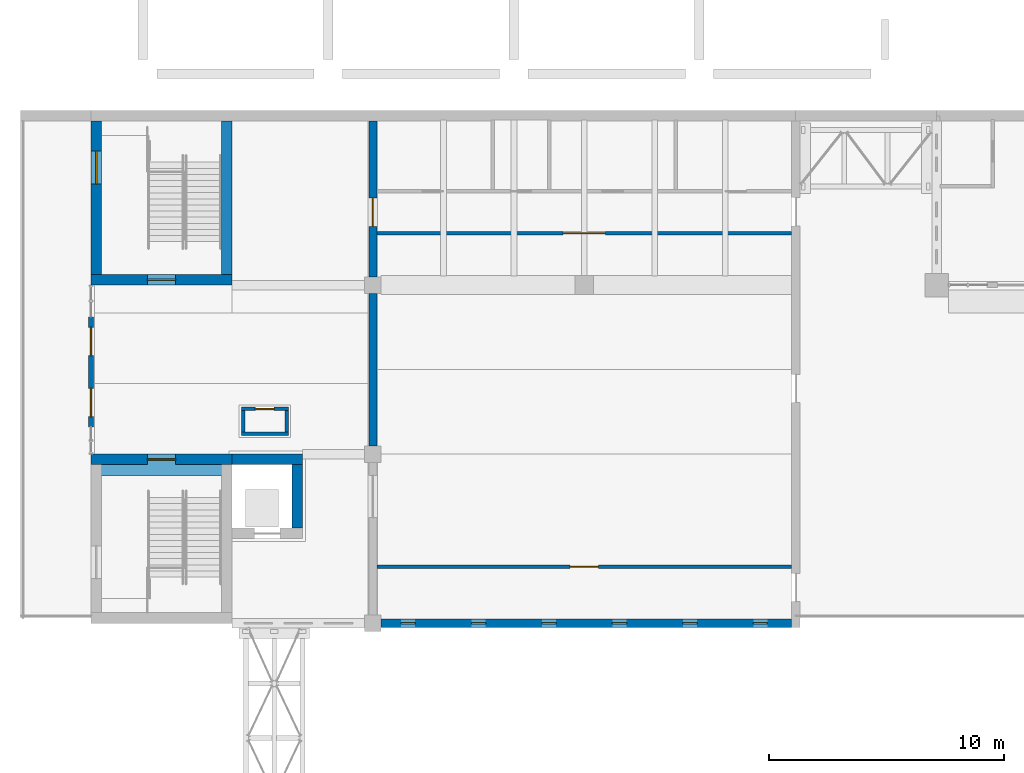
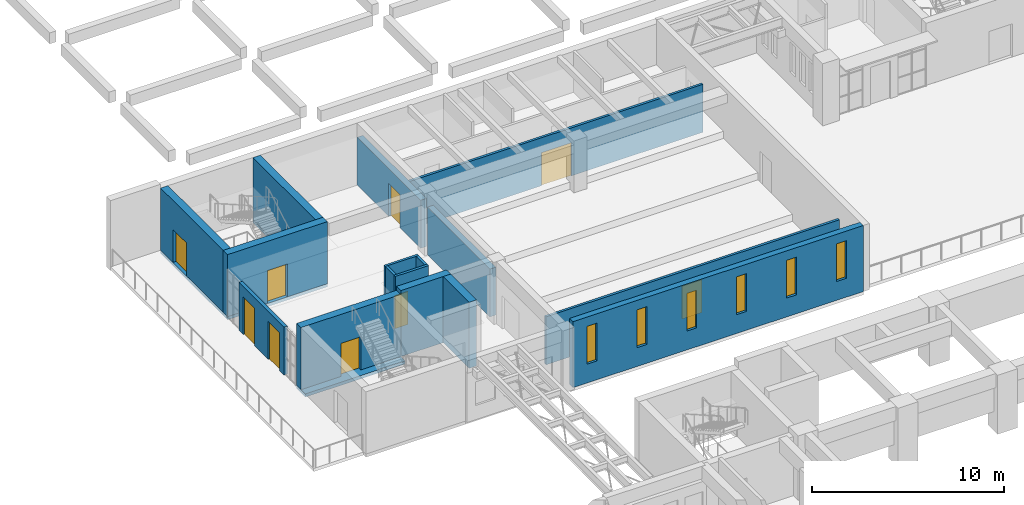
# One storey, part 65 of 103: 20 walls, 9 doors, 6 windows, 15 openings.
"""IFC4 building model written with IfcOpenShell, lengths in metres."""

from ifc_helpers import new_model, si_unit, direction, frame, frame_2d, origin, place, context, subcontext, project, spatial, rectangle, extrude, material, layer, layer_set, type_object, element, fill, save


model = new_model("IFC4")

# Units and contexts
model_context = context("Model", 3, precision=1e-05, world=origin(), true_north=direction((0.0, 1.0)))
body_context = subcontext(model_context, "Body", "Model", "MODEL_VIEW")
ifc_project = project(units=[si_unit("LENGTHUNIT", "METRE"), si_unit("AREAUNIT", "SQUARE_METRE"), si_unit("VOLUMEUNIT", "CUBIC_METRE"), si_unit("PLANEANGLEUNIT", "RADIAN"), si_unit("MASSUNIT", "GRAM", prefix="KILO")], contexts=[model_context])

# Site, building, storey
site_placement = place(None, origin())
site = spatial("IfcSite", under=ifc_project, at=site_placement, CompositionType="ELEMENT")
building_placement = place(site_placement, origin())
building = spatial("IfcBuilding", under=site, at=building_placement, Name="Laocheng Heights Fire and Rescue Headquarters", CompositionType="ELEMENT")
storey_placement = place(building_placement, frame((0.0, 0.0, 4.199951171875)))
storey = spatial("IfcBuildingStorey", under=building, at=storey_placement, Name="L01", CompositionType="ELEMENT", Elevation=4.199951171875)

# Wall, opening, door
ifc_material_1 = material(Name="Gypsum plaster")
ifc_layer_1 = layer(ifc_material_1, 0.010009765625, Name="PLASTER", Category="plaster")
ifc_material_2 = material(Name="Concrete blockwork MU10", Category="masonry")
ifc_layer_2 = layer(ifc_material_2, 0.1298828125, Name="BLOCKWORK", Category="masonry")
ifc_layer_3 = layer(ifc_material_1, 0.010009765625, Name="PLASTER", Category="plaster")
ifc_layer_set_1 = layer_set([ifc_layer_1, ifc_layer_2, ifc_layer_3], Name="Concrete blockwork MU10")
wall_type_1 = type_object("IfcWallType", Name="BLOCKWORK CORRIDOR WALL 150 EI 60 PAVILION", PredefinedType="PARTITIONING", material=ifc_layer_set_1)
wall_1_placement = place(storey_placement, frame((12.175048828125, 38.39990234375, 0.0), z_axis=(0.0, 0.0, 1.0), x_axis=(1.0, 0.0, 0.0)))
wall_1 = element("IfcWall", 1, at=wall_1_placement, inside=storey, type_object=wall_type_1, Name="Partition L01-004", PredefinedType="PARTITIONING", context=body_context, shape_type="SweptSolid", body=[
    extrude(rectangle(XDim=17.64990234375, YDim=0.14990234375, at=frame_2d((8.824951171875, 0.0))), origin(), (0.0, 0.0, 1.0), 3.050048828125),
])
opening_1_placement = place(wall_1_placement, frame((8.22509765625, 0.0, 0.0)))
opening_1 = element("IfcOpeningElement", 2, at=opening_1_placement, cuts=wall_1, Name="Opening L01-P03", PredefinedType="OPENING", context=body_context, shape_type="SweptSolid", body=[
    extrude(rectangle(XDim=1.199951171875, YDim=2.10009765625, at=frame_2d((0.60009765625, 1.050048828125))), frame((0.0, 0.0849609375, 0.0), z_axis=(0.0, -1.0, 0.0), x_axis=(1.0, 0.0, 0.0)), (0.0, 0.0, 1.0), 0.169921875),
])
ifc_material_3 = material(Name="Timber door leaf, veneered", Category="wood")
door_type_1 = type_object("IfcDoorType", Name="TIMBER DOOR 1200x2100 EI 30 PAVILION", OperationType="SINGLE_SWING_LEFT", PredefinedType="DOOR", material=ifc_material_3)
door_1_placement = place(opening_1_placement, frame((1.199951171875, 0.0, 0.0), z_axis=(0.0, 0.0, 1.0), x_axis=(-1.0, 0.0, 0.0)))
door_1 = element("IfcDoor", 3, at=door_1_placement, inside=storey, type_object=door_type_1, Name="Door L01-P03", OperationType="SINGLE_SWING_RIGHT", OverallHeight=2.10009765625, OverallWidth=1.199951171875, PredefinedType="DOOR", context=body_context, shape_type="SweptSolid", body=[
    extrude(rectangle(XDim=1.199951171875, YDim=2.10009765625, at=frame_2d((0.60009765625, 1.050048828125))), frame((0.0, 0.02490234375, 0.0), z_axis=(0.0, -1.0, 0.0), x_axis=(1.0, 0.0, 0.0)), (0.0, 0.0, 1.0), 0.050048828125),
])
fill(opening_1, door_1)

wall_2_placement = place(storey_placement, frame((12.175048828125, 52.60009765625, 0.0), z_axis=(0.0, 0.0, 1.0), x_axis=(1.0, 0.0, 0.0)))
wall_2 = element("IfcWall", 4, at=wall_2_placement, inside=storey, type_object=wall_type_1, Name="Partition L01-005", PredefinedType="PARTITIONING", context=body_context, shape_type="SweptSolid", body=[
    extrude(rectangle(XDim=17.64990234375, YDim=0.14990234375, at=frame_2d((8.824951171875, 0.0))), origin(), (0.0, 0.0, 1.0), 3.050048828125),
])
opening_2_placement = place(wall_2_placement, frame((7.925048828125, 0.0, 0.0)))
opening_2 = element("IfcOpeningElement", 5, at=opening_2_placement, cuts=wall_2, Name="Opening L01-P04", PredefinedType="OPENING", context=body_context, shape_type="SweptSolid", body=[
    extrude(rectangle(XDim=1.800048828125, YDim=2.10009765625, at=frame_2d((0.89990234375, 1.050048828125))), frame((0.0, 0.0849609375, 0.0), z_axis=(0.0, -1.0, 0.0), x_axis=(1.0, 0.0, 0.0)), (0.0, 0.0, 1.0), 0.169921875),
])
ifc_material_4 = material(Name="Timber door leaf, veneered", Category="wood")
door_type_2 = type_object("IfcDoorType", Name="TIMBER DOOR 1800x2100 EI 30 PAVILION", OperationType="DOUBLE_DOOR_SINGLE_SWING", PredefinedType="DOOR", material=ifc_material_4)
door_2_placement = place(opening_2_placement, frame((1.800048828125, 0.0, 0.0), z_axis=(0.0, 0.0, 1.0), x_axis=(-1.0, 0.0, 0.0)))
door_2 = element("IfcDoor", 6, at=door_2_placement, inside=storey, type_object=door_type_2, Name="Door L01-P04", OperationType="DOUBLE_DOOR_SINGLE_SWING", OverallHeight=2.10009765625, OverallWidth=1.800048828125, PredefinedType="DOOR", context=body_context, shape_type="SweptSolid", body=[
    extrude(rectangle(XDim=1.800048828125, YDim=2.10009765625, at=frame_2d((0.89990234375, 1.050048828125))), frame((0.0, 0.02490234375, 0.0), z_axis=(0.0, -1.0, 0.0), x_axis=(1.0, 0.0, 0.0)), (0.0, 0.0, 1.0), 0.050048828125),
])
fill(opening_2, door_2)

# Wall, openings, doors
ifc_material_5 = material(Name="Precast concrete C40/50", Category="concrete")
ifc_layer_4 = layer(ifc_material_5, 0.199951171875)
ifc_layer_set_2 = layer_set([ifc_layer_4], Name="Precast concrete C40/50")
wall_type_2 = type_object("IfcWallType", Name="PRECAST ENTRANCE FRAME WALL FOYER 200", PredefinedType="SOLIDWALL", material=ifc_layer_set_2)
wall_3_placement = place(storey_placement, frame((0.0, 44.35009765625, 0.0), z_axis=(0.0, 0.0, 1.0), x_axis=(0.0, 1.0, 0.0)))
wall_3 = element("IfcWall", 7, at=wall_3_placement, inside=storey, type_object=wall_type_2, Name="PRECAST ENTRANCE FRAME WALL FOYER FOYER WEST L01", PredefinedType="SOLIDWALL", context=body_context, shape_type="SweptSolid", body=[
    extrude(rectangle(XDim=4.699951171875, YDim=0.199951171875, at=frame_2d((2.35009765625, 0.0))), origin(), (0.0, 0.0, 1.0), 3.050048828125),
])
opening_3_placement = place(wall_3_placement, frame((0.449951171875, 0.0, 0.0)))
opening_3 = element("IfcOpeningElement", 8, at=opening_3_placement, cuts=wall_3, Name="Opening L01-V01", PredefinedType="OPENING", context=body_context, shape_type="SweptSolid", body=[
    extrude(rectangle(XDim=1.199951171875, YDim=2.39990234375, at=frame_2d((0.60009765625, 1.199951171875))), frame((0.0, 0.10986328125, 0.0), z_axis=(0.0, -1.0, 0.0), x_axis=(1.0, 0.0, 0.0)), (0.0, 0.0, 1.0), 0.219970703125),
])
opening_4_placement = place(wall_3_placement, frame((3.050048828125, 0.0, 0.0)))
opening_4 = element("IfcOpeningElement", 9, at=opening_4_placement, cuts=wall_3, Name="Opening L01-V02", PredefinedType="OPENING", context=body_context, shape_type="SweptSolid", body=[
    extrude(rectangle(XDim=1.199951171875, YDim=2.39990234375, at=frame_2d((0.60009765625, 1.199951171875))), frame((0.0, 0.10986328125, 0.0), z_axis=(0.0, -1.0, 0.0), x_axis=(1.0, 0.0, 0.0)), (0.0, 0.0, 1.0), 0.219970703125),
])
ifc_material_6 = material(Name="Dark anodised aluminium framed glazed door, low-e glazing", Category="aluminium")
door_type_3 = type_object("IfcDoorType", Name="FOYER ENTRANCE DOOR 1200 x 2400", OperationType="SINGLE_SWING_LEFT", PredefinedType="DOOR", material=ifc_material_6)
door_3_placement = place(opening_3_placement, origin())
door_3 = element("IfcDoor", 10, at=door_3_placement, inside=storey, type_object=door_type_3, Name="FOYER ENTRANCE DOOR FOYER WEST L01", OperationType="SINGLE_SWING_LEFT", OverallHeight=2.39990234375, OverallWidth=1.199951171875, PredefinedType="DOOR", context=body_context, shape_type="SweptSolid", body=[
    extrude(rectangle(XDim=1.199951171875, YDim=2.39990234375, at=frame_2d((0.60009765625, 1.199951171875))), frame((0.0, 0.02490234375, 0.0), z_axis=(0.0, -1.0, 0.0), x_axis=(1.0, 0.0, 0.0)), (0.0, 0.0, 1.0), 0.050048828125),
])
fill(opening_3, door_3)
door_4_placement = place(opening_4_placement, origin())
door_4 = element("IfcDoor", 11, at=door_4_placement, inside=storey, type_object=door_type_3, Name="FOYER ENTRANCE DOOR FOYER WEST L01", OperationType="SINGLE_SWING_LEFT", OverallHeight=2.39990234375, OverallWidth=1.199951171875, PredefinedType="DOOR", context=body_context, shape_type="SweptSolid", body=[
    extrude(rectangle(XDim=1.199951171875, YDim=2.39990234375, at=frame_2d((0.60009765625, 1.199951171875))), frame((0.0, 0.02490234375, 0.0), z_axis=(0.0, -1.0, 0.0), x_axis=(1.0, 0.0, 0.0)), (0.0, 0.0, 1.0), 0.050048828125),
])
fill(opening_4, door_4)

# Walls
ifc_material_7 = material(Name="Concrete C50", Category="concrete")
ifc_layer_5 = layer(ifc_material_7, 0.449951171875)
ifc_layer_set_3 = layer_set([ifc_layer_5], Name="Concrete C50")
wall_type_3 = type_object("IfcWallType", Name="RC LIFT SHAFT WALL 450", PredefinedType="SHEAR", material=ifc_layer_set_3)
wall_4_placement = place(storey_placement, frame((6.0, 42.97509765625, 0.0), z_axis=(0.0, 0.0, 1.0), x_axis=(1.0, 0.0, 0.0)))
element("IfcWall", 12, at=wall_4_placement, inside=storey, type_object=wall_type_3, Name="Lift shaft wall", PredefinedType="SHEAR", context=body_context, shape_type="SweptSolid", body=[
    extrude(rectangle(XDim=3.0, YDim=0.449951171875, at=frame_2d((1.5, 0.0))), origin(), (0.0, 0.0, 1.0), 4.199951171875),
])
wall_5_placement = place(storey_placement, frame((8.77490234375, 40.050048828125, 0.0), z_axis=(0.0, 0.0, 1.0), x_axis=(0.0, 1.0, 0.0)))
element("IfcWall", 13, at=wall_5_placement, inside=storey, type_object=wall_type_3, Name="Lift shaft wall", PredefinedType="SHEAR", context=body_context, shape_type="SweptSolid", body=[
    extrude(rectangle(XDim=2.699951171875, YDim=0.449951171875, at=frame_2d((1.35009765625, 0.0))), origin(), (0.0, 0.0, 1.0), 4.199951171875),
])
ifc_material_8 = material(Name="Concrete C40", Category="concrete")
ifc_layer_6 = layer(ifc_material_8, 0.35009765625)
ifc_layer_set_4 = layer_set([ifc_layer_6], Name="Concrete C40")
wall_type_4 = type_object("IfcWallType", Name="RC SHEAR WALL 350 THEATRE", PredefinedType="SHEAR", material=ifc_layer_set_4)
wall_6_placement = place(storey_placement, frame((12.0, 43.550048828125, 0.0), z_axis=(0.0, 0.0, 1.0), x_axis=(0.0, 1.0, 0.0)))
element("IfcWall", 14, at=wall_6_placement, inside=storey, type_object=wall_type_4, Name="Theatre west wall L01", PredefinedType="SHEAR", context=body_context, shape_type="SweptSolid", body=[
    extrude(rectangle(XDim=6.5, YDim=0.35009765625, at=frame_2d((3.25, 0.0))), origin(), (0.0, 0.0, 1.0), 3.050048828125),
])

# Wall, opening, door
wall_7_placement = place(storey_placement, frame((12.0, 50.75, 0.0), z_axis=(0.0, 0.0, 1.0), x_axis=(0.0, 1.0, 0.0)))
wall_7 = element("IfcWall", 15, at=wall_7_placement, inside=storey, type_object=wall_type_4, Name="Theatre west wall L01", PredefinedType="SHEAR", context=body_context, shape_type="SweptSolid", body=[
    extrude(rectangle(XDim=6.625, YDim=0.35009765625, at=frame_2d((3.3125, 0.0))), origin(), (0.0, 0.0, 1.0), 3.050048828125),
])
opening_5_placement = place(wall_7_placement, frame((2.14990234375, 0.0, 0.0)))
opening_5 = element("IfcOpeningElement", 16, at=opening_5_placement, cuts=wall_7, Name="Opening L01-P02", PredefinedType="OPENING", context=body_context, shape_type="SweptSolid", body=[
    extrude(rectangle(XDim=1.199951171875, YDim=2.10009765625, at=frame_2d((0.60009765625, 1.050048828125))), frame((0.0, 0.18505859375, 0.0), z_axis=(0.0, -1.0, 0.0), x_axis=(1.0, 0.0, 0.0)), (0.0, 0.0, 1.0), 0.3701171875),
])
ifc_material_9 = material(Name="Steel door leaf, painted", Category="steel")
door_type_4 = type_object("IfcDoorType", Name="STEEL FIRE DOOR 1200x2100 EI 60 PAVILION", OperationType="SINGLE_SWING_LEFT", PredefinedType="DOOR", material=ifc_material_9)
door_5_placement = place(opening_5_placement, origin())
door_5 = element("IfcDoor", 17, at=door_5_placement, inside=storey, type_object=door_type_4, Name="Door L01-P02", OperationType="SINGLE_SWING_LEFT", OverallHeight=2.10009765625, OverallWidth=1.199951171875, PredefinedType="DOOR", context=body_context, shape_type="SweptSolid", body=[
    extrude(rectangle(XDim=1.199951171875, YDim=2.10009765625, at=frame_2d((0.60009765625, 1.050048828125))), frame((0.0, 0.02490234375, 0.0), z_axis=(0.0, -1.0, 0.0), x_axis=(1.0, 0.0, 0.0)), (0.0, 0.0, 1.0), 0.050048828125),
])
fill(opening_5, door_5)

# Wall, openings, windows
wall_8_placement = place(storey_placement, frame((12.35009765625, 36.0, 0.0), z_axis=(0.0, 0.0, 1.0), x_axis=(1.0, 0.0, 0.0)))
wall_8 = element("IfcWall", 18, at=wall_8_placement, inside=storey, type_object=wall_type_4, Name="Theatre gable wall L01", PredefinedType="SHEAR", context=body_context, shape_type="SweptSolid", body=[
    extrude(rectangle(XDim=17.474853515625, YDim=0.35009765625, at=frame_2d((8.7373046875, 0.0))), origin(), (0.0, 0.0, 1.0), 4.199951171875),
])
opening_6_placement = place(wall_8_placement, frame((0.85009765625, 0.0, 1.199951171875)))
opening_6 = element("IfcOpeningElement", 19, at=opening_6_placement, cuts=wall_8, Name="Opening N2-V", PredefinedType="OPENING", context=body_context, shape_type="SweptSolid", body=[
    extrude(rectangle(XDim=0.60009765625, YDim=2.39990234375, at=frame_2d((0.300048828125, 1.199951171875))), frame((0.0, 0.18505859375, 0.0), z_axis=(0.0, -1.0, 0.0), x_axis=(1.0, 0.0, 0.0)), (0.0, 0.0, 1.0), 0.3701171875),
])
opening_7_placement = place(wall_8_placement, frame((3.85009765625, 0.0, 1.199951171875)))
opening_7 = element("IfcOpeningElement", 20, at=opening_7_placement, cuts=wall_8, Name="Opening N2-V", PredefinedType="OPENING", context=body_context, shape_type="SweptSolid", body=[
    extrude(rectangle(XDim=0.60009765625, YDim=2.39990234375, at=frame_2d((0.300048828125, 1.199951171875))), frame((0.0, 0.18505859375, 0.0), z_axis=(0.0, -1.0, 0.0), x_axis=(1.0, 0.0, 0.0)), (0.0, 0.0, 1.0), 0.3701171875),
])
opening_8_placement = place(wall_8_placement, frame((6.85009765625, 0.0, 1.199951171875)))
opening_8 = element("IfcOpeningElement", 21, at=opening_8_placement, cuts=wall_8, Name="Opening N2-V", PredefinedType="OPENING", context=body_context, shape_type="SweptSolid", body=[
    extrude(rectangle(XDim=0.60009765625, YDim=2.39990234375, at=frame_2d((0.300048828125, 1.199951171875))), frame((0.0, 0.18505859375, 0.0), z_axis=(0.0, -1.0, 0.0), x_axis=(1.0, 0.0, 0.0)), (0.0, 0.0, 1.0), 0.3701171875),
])
opening_9_placement = place(wall_8_placement, frame((9.85009765625, 0.0, 1.199951171875)))
opening_9 = element("IfcOpeningElement", 22, at=opening_9_placement, cuts=wall_8, Name="Opening N2-V", PredefinedType="OPENING", context=body_context, shape_type="SweptSolid", body=[
    extrude(rectangle(XDim=0.60009765625, YDim=2.39990234375, at=frame_2d((0.300048828125, 1.199951171875))), frame((0.0, 0.18505859375, 0.0), z_axis=(0.0, -1.0, 0.0), x_axis=(1.0, 0.0, 0.0)), (0.0, 0.0, 1.0), 0.3701171875),
])
opening_10_placement = place(wall_8_placement, frame((12.85009765625, 0.0, 1.199951171875)))
opening_10 = element("IfcOpeningElement", 23, at=opening_10_placement, cuts=wall_8, Name="Opening N2-V", PredefinedType="OPENING", context=body_context, shape_type="SweptSolid", body=[
    extrude(rectangle(XDim=0.60009765625, YDim=2.39990234375, at=frame_2d((0.300048828125, 1.199951171875))), frame((0.0, 0.18505859375, 0.0), z_axis=(0.0, -1.0, 0.0), x_axis=(1.0, 0.0, 0.0)), (0.0, 0.0, 1.0), 0.3701171875),
])
opening_11_placement = place(wall_8_placement, frame((15.85009765625, 0.0, 1.199951171875)))
opening_11 = element("IfcOpeningElement", 24, at=opening_11_placement, cuts=wall_8, Name="Opening N2-V", PredefinedType="OPENING", context=body_context, shape_type="SweptSolid", body=[
    extrude(rectangle(XDim=0.60009765625, YDim=2.39990234375, at=frame_2d((0.300048828125, 1.199951171875))), frame((0.0, 0.18505859375, 0.0), z_axis=(0.0, -1.0, 0.0), x_axis=(1.0, 0.0, 0.0)), (0.0, 0.0, 1.0), 0.3701171875),
])
ifc_material_10 = material(Name="Low-e double glazing in aluminium frame", Category="aluminium")
window_type = type_object("IfcWindowType", Name="WINDOW 600 x 2400 THEATRE SLOT", PartitioningType="SINGLE_PANEL", PredefinedType="WINDOW", material=ifc_material_10)
window_1_placement = place(opening_6_placement, origin())
window_1 = element("IfcWindow", 25, at=window_1_placement, inside=storey, type_object=window_type, Name="THEATRE SLOT L01", OverallHeight=2.39990234375, OverallWidth=0.60009765625, PartitioningType="SINGLE_PANEL", PredefinedType="WINDOW", context=body_context, shape_type="SweptSolid", body=[
    extrude(rectangle(XDim=0.60009765625, YDim=2.39990234375, at=frame_2d((0.300048828125, 1.199951171875))), frame((0.0, 0.030029296875, 0.0), z_axis=(0.0, -1.0, 0.0), x_axis=(1.0, 0.0, 0.0)), (0.0, 0.0, 1.0), 0.06005859375),
])
fill(opening_6, window_1)
window_2_placement = place(opening_7_placement, origin())
window_2 = element("IfcWindow", 26, at=window_2_placement, inside=storey, type_object=window_type, Name="THEATRE SLOT L01", OverallHeight=2.39990234375, OverallWidth=0.60009765625, PartitioningType="SINGLE_PANEL", PredefinedType="WINDOW", context=body_context, shape_type="SweptSolid", body=[
    extrude(rectangle(XDim=0.60009765625, YDim=2.39990234375, at=frame_2d((0.300048828125, 1.199951171875))), frame((0.0, 0.030029296875, 0.0), z_axis=(0.0, -1.0, 0.0), x_axis=(1.0, 0.0, 0.0)), (0.0, 0.0, 1.0), 0.06005859375),
])
fill(opening_7, window_2)
window_3_placement = place(opening_8_placement, origin())
window_3 = element("IfcWindow", 27, at=window_3_placement, inside=storey, type_object=window_type, Name="THEATRE SLOT L01", OverallHeight=2.39990234375, OverallWidth=0.60009765625, PartitioningType="SINGLE_PANEL", PredefinedType="WINDOW", context=body_context, shape_type="SweptSolid", body=[
    extrude(rectangle(XDim=0.60009765625, YDim=2.39990234375, at=frame_2d((0.300048828125, 1.199951171875))), frame((0.0, 0.030029296875, 0.0), z_axis=(0.0, -1.0, 0.0), x_axis=(1.0, 0.0, 0.0)), (0.0, 0.0, 1.0), 0.06005859375),
])
fill(opening_8, window_3)
window_4_placement = place(opening_9_placement, origin())
window_4 = element("IfcWindow", 28, at=window_4_placement, inside=storey, type_object=window_type, Name="THEATRE SLOT L01", OverallHeight=2.39990234375, OverallWidth=0.60009765625, PartitioningType="SINGLE_PANEL", PredefinedType="WINDOW", context=body_context, shape_type="SweptSolid", body=[
    extrude(rectangle(XDim=0.60009765625, YDim=2.39990234375, at=frame_2d((0.300048828125, 1.199951171875))), frame((0.0, 0.030029296875, 0.0), z_axis=(0.0, -1.0, 0.0), x_axis=(1.0, 0.0, 0.0)), (0.0, 0.0, 1.0), 0.06005859375),
])
fill(opening_9, window_4)
window_5_placement = place(opening_10_placement, origin())
window_5 = element("IfcWindow", 29, at=window_5_placement, inside=storey, type_object=window_type, Name="THEATRE SLOT L01", OverallHeight=2.39990234375, OverallWidth=0.60009765625, PartitioningType="SINGLE_PANEL", PredefinedType="WINDOW", context=body_context, shape_type="SweptSolid", body=[
    extrude(rectangle(XDim=0.60009765625, YDim=2.39990234375, at=frame_2d((0.300048828125, 1.199951171875))), frame((0.0, 0.030029296875, 0.0), z_axis=(0.0, -1.0, 0.0), x_axis=(1.0, 0.0, 0.0)), (0.0, 0.0, 1.0), 0.06005859375),
])
fill(opening_10, window_5)
window_6_placement = place(opening_11_placement, origin())
window_6 = element("IfcWindow", 30, at=window_6_placement, inside=storey, type_object=window_type, Name="THEATRE SLOT L01", OverallHeight=2.39990234375, OverallWidth=0.60009765625, PartitioningType="SINGLE_PANEL", PredefinedType="WINDOW", context=body_context, shape_type="SweptSolid", body=[
    extrude(rectangle(XDim=0.60009765625, YDim=2.39990234375, at=frame_2d((0.300048828125, 1.199951171875))), frame((0.0, 0.030029296875, 0.0), z_axis=(0.0, -1.0, 0.0), x_axis=(1.0, 0.0, 0.0)), (0.0, 0.0, 1.0), 0.06005859375),
])
fill(opening_11, window_6)

# Wall, opening, door
ifc_material_11 = material(Name="Concrete C50", Category="concrete")
ifc_layer_7 = layer(ifc_material_11, 0.449951171875)
ifc_layer_set_5 = layer_set([ifc_layer_7], Name="Concrete C50")
wall_type_5 = type_object("IfcWallType", Name="RC STAIR ENCLOSURE WALL 450", PredefinedType="SHEAR", material=ifc_layer_set_5)
wall_9_placement = place(storey_placement, frame((0.0, 42.97509765625, 0.0), z_axis=(0.0, 0.0, 1.0), x_axis=(1.0, 0.0, 0.0)))
wall_9 = element("IfcWall", 31, at=wall_9_placement, inside=storey, type_object=wall_type_5, Name="Stair enclosure wall", PredefinedType="SHEAR", context=body_context, shape_type="SweptSolid", body=[
    extrude(rectangle(XDim=6.0, YDim=0.449951171875, at=frame_2d((3.0, 0.0))), origin(), (0.0, 0.0, 1.0), 3.949951171875),
])
opening_12_placement = place(wall_9_placement, frame((2.39990234375, 0.0, 0.0)))
opening_12 = element("IfcOpeningElement", 32, at=opening_12_placement, cuts=wall_9, Name="Opening L01-K10", PredefinedType="OPENING", context=body_context, shape_type="SweptSolid", body=[
    extrude(rectangle(XDim=1.199951171875, YDim=2.10009765625, at=frame_2d((0.60009765625, 1.050048828125))), frame((0.0, 0.23486328125, 0.0), z_axis=(0.0, -1.0, 0.0), x_axis=(1.0, 0.0, 0.0)), (0.0, 0.0, 1.0), 0.469970703125),
])
ifc_material_12 = material(Name="Painted steel", Category="steel")
door_type_5 = type_object("IfcDoorType", Name="FIRE DOOR 1200x2100 EI 60", OperationType="SINGLE_SWING_LEFT", PredefinedType="DOOR", material=ifc_material_12)
door_6_placement = place(opening_12_placement, frame((1.199951171875, 0.0, 0.0), z_axis=(0.0, 0.0, 1.0), x_axis=(-1.0, 0.0, 0.0)))
door_6 = element("IfcDoor", 33, at=door_6_placement, inside=storey, type_object=door_type_5, Name="Stair P1 door", OperationType="SINGLE_SWING_RIGHT", OverallHeight=2.10009765625, OverallWidth=1.199951171875, PredefinedType="DOOR", context=body_context, shape_type="SweptSolid", body=[
    extrude(rectangle(XDim=1.199951171875, YDim=2.10009765625, at=frame_2d((0.60009765625, 1.050048828125))), frame((0.0, 0.02490234375, 0.0), z_axis=(0.0, -1.0, 0.0), x_axis=(1.0, 0.0, 0.0)), (0.0, 0.0, 1.0), 0.050048828125),
])
fill(opening_12, door_6)

wall_10_placement = place(storey_placement, frame((0.0, 50.625, 0.0), z_axis=(0.0, 0.0, 1.0), x_axis=(1.0, 0.0, 0.0)))
wall_10 = element("IfcWall", 34, at=wall_10_placement, inside=storey, type_object=wall_type_5, Name="Stair enclosure wall", PredefinedType="SHEAR", context=body_context, shape_type="SweptSolid", body=[
    extrude(rectangle(XDim=6.0, YDim=0.449951171875, at=frame_2d((3.0, 0.0))), origin(), (0.0, 0.0, 1.0), 3.949951171875),
])
opening_13_placement = place(wall_10_placement, frame((2.39990234375, 0.0, 0.0)))
opening_13 = element("IfcOpeningElement", 35, at=opening_13_placement, cuts=wall_10, Name="Opening L01-K14", PredefinedType="OPENING", context=body_context, shape_type="SweptSolid", body=[
    extrude(rectangle(XDim=1.199951171875, YDim=2.10009765625, at=frame_2d((0.60009765625, 1.050048828125))), frame((0.0, 0.23486328125, 0.0), z_axis=(0.0, -1.0, 0.0), x_axis=(1.0, 0.0, 0.0)), (0.0, 0.0, 1.0), 0.469970703125),
])
door_7_placement = place(opening_13_placement, frame((1.199951171875, 0.0, 0.0), z_axis=(0.0, 0.0, 1.0), x_axis=(-1.0, 0.0, 0.0)))
door_7 = element("IfcDoor", 36, at=door_7_placement, inside=storey, type_object=door_type_5, Name="Stair P2 door", OperationType="SINGLE_SWING_RIGHT", OverallHeight=2.10009765625, OverallWidth=1.199951171875, PredefinedType="DOOR", context=body_context, shape_type="SweptSolid", body=[
    extrude(rectangle(XDim=1.199951171875, YDim=2.10009765625, at=frame_2d((0.60009765625, 1.050048828125))), frame((0.0, 0.02490234375, 0.0), z_axis=(0.0, -1.0, 0.0), x_axis=(1.0, 0.0, 0.0)), (0.0, 0.0, 1.0), 0.050048828125),
])
fill(opening_13, door_7)

wall_11_placement = place(storey_placement, frame((0.22509765625, 50.85009765625, 0.0), z_axis=(0.0, 0.0, 1.0), x_axis=(0.0, 1.0, 0.0)))
wall_11 = element("IfcWall", 37, at=wall_11_placement, inside=storey, type_object=wall_type_5, Name="Stair enclosure wall", PredefinedType="SHEAR", context=body_context, shape_type="SweptSolid", body=[
    extrude(rectangle(XDim=6.52490234375, YDim=0.449951171875, at=frame_2d((3.262451171875, 0.0))), origin(), (0.0, 0.0, 1.0), 3.949951171875),
])
opening_14_placement = place(wall_11_placement, frame((3.85009765625, 0.0, 0.0)))
opening_14 = element("IfcOpeningElement", 38, at=opening_14_placement, cuts=wall_11, Name="Opening L01-K15", PredefinedType="OPENING", context=body_context, shape_type="SweptSolid", body=[
    extrude(rectangle(XDim=1.39990234375, YDim=2.10009765625, at=frame_2d((0.699951171875, 1.050048828125))), frame((0.0, 0.23486328125, 0.0), z_axis=(0.0, -1.0, 0.0), x_axis=(1.0, 0.0, 0.0)), (0.0, 0.0, 1.0), 0.469970703125),
])
ifc_material_13 = material(Name="Painted steel", Category="steel")
door_type_6 = type_object("IfcDoorType", Name="STAIR EXIT DOOR 1400x2100 EI 60", OperationType="DOUBLE_DOOR_SINGLE_SWING", PredefinedType="DOOR", material=ifc_material_13)
door_8_placement = place(opening_14_placement, origin())
door_8 = element("IfcDoor", 39, at=door_8_placement, inside=storey, type_object=door_type_6, Name="Stair P2 exit door", OperationType="DOUBLE_DOOR_SINGLE_SWING", OverallHeight=2.10009765625, OverallWidth=1.39990234375, PredefinedType="DOOR", context=body_context, shape_type="SweptSolid", body=[
    extrude(rectangle(XDim=1.39990234375, YDim=2.10009765625, at=frame_2d((0.699951171875, 1.050048828125))), frame((0.0, 0.02490234375, 0.0), z_axis=(0.0, -1.0, 0.0), x_axis=(1.0, 0.0, 0.0)), (0.0, 0.0, 1.0), 0.050048828125),
])
fill(opening_14, door_8)

# Walls
wall_12_placement = place(storey_placement, frame((5.77490234375, 50.85009765625, 0.0), z_axis=(0.0, 0.0, 1.0), x_axis=(0.0, 1.0, 0.0)))
element("IfcWall", 40, at=wall_12_placement, inside=storey, type_object=wall_type_5, Name="Stair enclosure wall", PredefinedType="SHEAR", context=body_context, shape_type="SweptSolid", body=[
    extrude(rectangle(XDim=6.52490234375, YDim=0.449951171875, at=frame_2d((3.262451171875, 0.0))), origin(), (0.0, 0.0, 1.0), 3.949951171875),
])
ifc_material_14 = material(Name="Concrete C30", Category="concrete")
ifc_layer_8 = layer(ifc_material_14, 0.14990234375)
ifc_layer_set_6 = layer_set([ifc_layer_8], Name="Concrete C30")
wall_type_6 = type_object("IfcWallType", Name="RISER SHAFT WALL 150", PredefinedType="SOLIDWALL", material=ifc_layer_set_6)
wall_13_placement = place(storey_placement, frame((6.39990234375, 44.074951171875, 0.0), z_axis=(0.0, 0.0, 1.0), x_axis=(1.0, 0.0, 0.0)))
element("IfcWall", 41, at=wall_13_placement, inside=storey, type_object=wall_type_6, Name="Riser shaft wall", PredefinedType="SOLIDWALL", context=body_context, shape_type="SweptSolid", body=[
    extrude(rectangle(XDim=2.0, YDim=0.14990234375, at=frame_2d((1.0, 0.0))), origin(), (0.0, 0.0, 1.0), 4.199951171875),
])

# Wall, opening, door
wall_14_placement = place(storey_placement, frame((6.39990234375, 45.125, 0.0), z_axis=(0.0, 0.0, 1.0), x_axis=(1.0, 0.0, 0.0)))
wall_14 = element("IfcWall", 42, at=wall_14_placement, inside=storey, type_object=wall_type_6, Name="Riser shaft wall", PredefinedType="SOLIDWALL", context=body_context, shape_type="SweptSolid", body=[
    extrude(rectangle(XDim=2.0, YDim=0.14990234375, at=frame_2d((1.0, 0.0))), origin(), (0.0, 0.0, 1.0), 4.199951171875),
])
opening_15_placement = place(wall_14_placement, frame((0.60009765625, 0.0, 0.0)))
opening_15 = element("IfcOpeningElement", 43, at=opening_15_placement, cuts=wall_14, Name="Opening L01-K13", PredefinedType="OPENING", context=body_context, shape_type="SweptSolid", body=[
    extrude(rectangle(XDim=0.800048828125, YDim=2.10009765625, at=frame_2d((0.39990234375, 1.050048828125))), frame((0.0, 0.0849609375, 0.0), z_axis=(0.0, -1.0, 0.0), x_axis=(1.0, 0.0, 0.0)), (0.0, 0.0, 1.0), 0.169921875),
])
ifc_material_15 = material(Name="Painted steel", Category="steel")
door_type_7 = type_object("IfcDoorType", Name="RISER ACCESS DOOR 800x2100 EI 30", OperationType="SINGLE_SWING_LEFT", PredefinedType="DOOR", material=ifc_material_15)
door_9_placement = place(opening_15_placement, origin())
door_9 = element("IfcDoor", 44, at=door_9_placement, inside=storey, type_object=door_type_7, Name="Riser RP1 access door", OperationType="SINGLE_SWING_LEFT", OverallHeight=2.10009765625, OverallWidth=0.800048828125, PredefinedType="DOOR", context=body_context, shape_type="SweptSolid", body=[
    extrude(rectangle(XDim=0.800048828125, YDim=2.10009765625, at=frame_2d((0.39990234375, 1.050048828125))), frame((0.0, 0.02490234375, 0.0), z_axis=(0.0, -1.0, 0.0), x_axis=(1.0, 0.0, 0.0)), (0.0, 0.0, 1.0), 0.050048828125),
])
fill(opening_15, door_9)

# Walls
for number, where, z_axis, x_axis, name in (
    (45, (6.47509765625, 44.14990234375, 0.0), (0.0, 0.0, 1.0), (0.0, 1.0, 0.0), "Riser shaft wall"),
    (46, (8.324951171875, 44.14990234375, 0.0), (0.0, 0.0, 1.0), (0.0, 1.0, 0.0), "Riser shaft wall"),
):
    element("IfcWall", number, at=place(storey_placement, frame(where, z_axis=z_axis, x_axis=x_axis)), inside=storey, type_object=wall_type_6, Name=name, PredefinedType="SOLIDWALL", context=body_context, shape_type="SweptSolid", body=[
        extrude(rectangle(XDim=0.900146484375, YDim=0.14990234375, at=frame_2d((0.4501953125, 0.0))), origin(), (0.0, 0.0, 1.0), 4.199951171875),
    ])
ifc_material_16 = material(Name="Concrete C40", Category="concrete")
ifc_layer_9 = layer(ifc_material_16, 0.449951171875)
ifc_layer_set_7 = layer_set([ifc_layer_9], Name="Concrete C40")
wall_type_7 = type_object("IfcWallType", Name="STAIR KERB WALL 450", PredefinedType="SOLIDWALL", material=ifc_layer_set_7)
wall_15_placement = place(storey_placement, frame((0.0, 50.625, -0.199951171875), z_axis=(0.0, 0.0, 1.0), x_axis=(1.0, 0.0, 0.0)))
element("IfcWall", 47, at=wall_15_placement, inside=storey, type_object=wall_type_7, Name="Stair kerb wall", PredefinedType="SOLIDWALL", context=body_context, shape_type="SweptSolid", body=[
    extrude(rectangle(XDim=6.0, YDim=0.449951171875, at=frame_2d((3.0, 0.0))), origin(), (0.0, 0.0, 1.0), 0.199951171875),
])
for number, where, z_axis, x_axis, name in (
    (48, (0.22509765625, 50.85009765625, -0.199951171875), (0.0, 0.0, 1.0), (0.0, 1.0, 0.0), "Stair kerb wall"),
    (49, (5.77490234375, 50.85009765625, -0.199951171875), (0.0, 0.0, 1.0), (0.0, 1.0, 0.0), "Stair kerb wall"),
):
    element("IfcWall", number, at=place(storey_placement, frame(where, z_axis=z_axis, x_axis=x_axis)), inside=storey, type_object=wall_type_7, Name=name, PredefinedType="SOLIDWALL", context=body_context, shape_type="SweptSolid", body=[
        extrude(rectangle(XDim=6.52490234375, YDim=0.449951171875, at=frame_2d((3.262451171875, 0.0))), origin(), (0.0, 0.0, 1.0), 0.199951171875),
    ])
ifc_material_17 = material(Name="Concrete C40", Category="concrete")
ifc_layer_10 = layer(ifc_material_17, 0.89990234375)
ifc_layer_set_8 = layer_set([ifc_layer_10], Name="Concrete C40")
wall_type_8 = type_object("IfcWallType", Name="STAIR KERB WALL 900", PredefinedType="SOLIDWALL", material=ifc_layer_set_8)
wall_16_placement = place(storey_placement, frame((0.0, 42.75, -0.199951171875), z_axis=(0.0, 0.0, 1.0), x_axis=(1.0, 0.0, 0.0)))
element("IfcWall", 50, at=wall_16_placement, inside=storey, type_object=wall_type_8, Name="Stair kerb wall", PredefinedType="SOLIDWALL", context=body_context, shape_type="SweptSolid", body=[
    extrude(rectangle(XDim=6.0, YDim=0.89990234375, at=frame_2d((3.0, 0.0))), origin(), (0.0, 0.0, 1.0), 0.199951171875),
])

save(model, "model.ifc")
